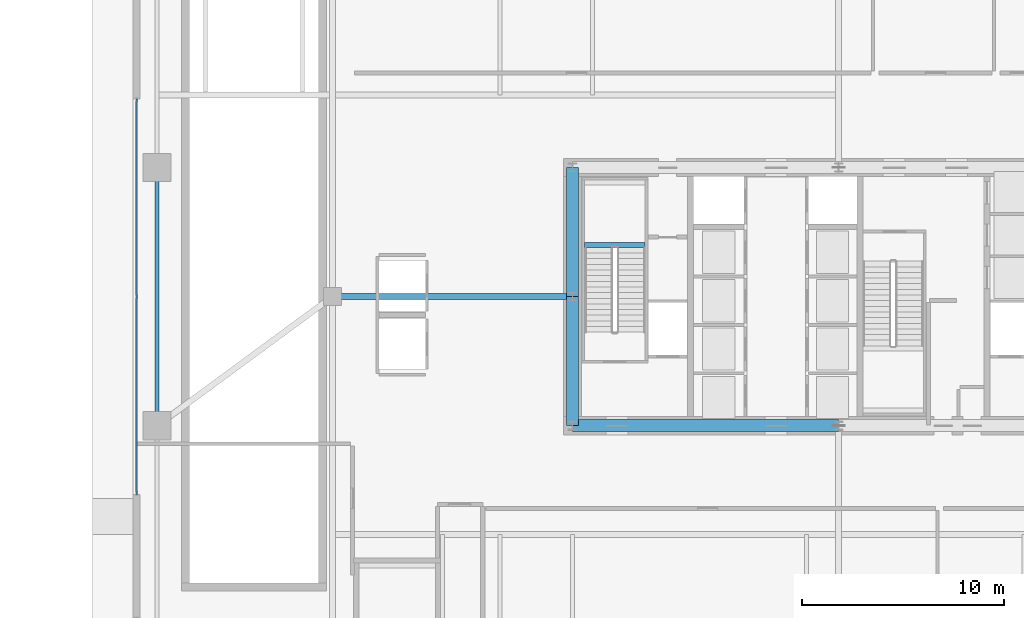
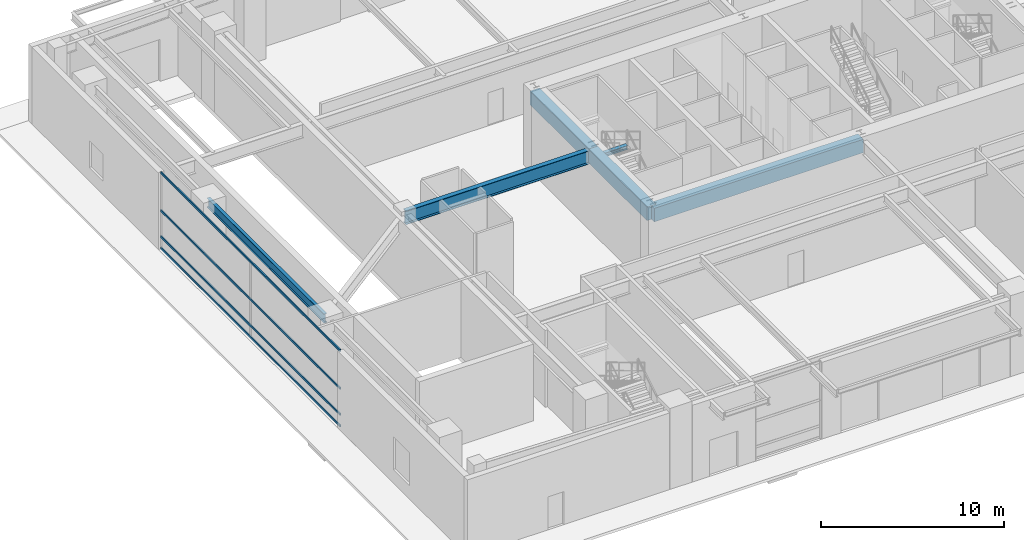
# One storey, part 9 of 32: 6 beams, 4 members, 1 element without a shape of its own.
"""IFC4 building model written with IfcOpenShell, lengths in metres."""

from ifc_helpers import new_model, si_unit, direction, frame, origin, origin_2d, place, context, subcontext, project, spatial, rectangle, hollow_rectangle, i_section, extrude, source, transform, mapped, material, layer, layer_set, material_profile, profile_set, type_object, element, aggregate, save


model = new_model("IFC4")

# Units and contexts
model_context = context("Model", 3, precision=1e-05, world=origin(), true_north=direction((0.0, 1.0)))
body_context = subcontext(model_context, "Body", "Model", "MODEL_VIEW")
ifc_project = project(units=[si_unit("LENGTHUNIT", "METRE"), si_unit("AREAUNIT", "SQUARE_METRE"), si_unit("VOLUMEUNIT", "CUBIC_METRE"), si_unit("PLANEANGLEUNIT", "RADIAN"), si_unit("MASSUNIT", "GRAM", prefix="KILO"), si_unit("THERMODYNAMICTEMPERATUREUNIT", "KELVIN"), si_unit("POWERUNIT", "WATT")], contexts=[model_context])

# Site, building, storey
site_placement = place(None, origin())
site = spatial("IfcSite", under=ifc_project, at=site_placement, CompositionType="ELEMENT")
building_placement = place(site_placement, origin())
building = spatial("IfcBuilding", under=site, at=building_placement, Name="Yuzanri Waterfront Tower", CompositionType="ELEMENT")
storey_placement = place(building_placement, origin())
storey = spatial("IfcBuildingStorey", under=building, at=storey_placement, Name="L01", CompositionType="ELEMENT", Elevation=0.0)

# Beams
ifc_material_1 = material(Name="Concrete C60", Category="concrete")
ifc_material_profile_1 = material_profile(ifc_material_1, rectangle(XDim=0.60009765625, YDim=0.89990234375, at=origin_2d()), Name="RC 600x900")
ifc_profile_set_1 = profile_set([ifc_material_profile_1], Name="Concrete C60")
beam_type_1 = type_object("IfcBeamType", Name="Core Coupling Lintel Concrete C60 600x900", PredefinedType="LINTEL", material=ifc_profile_set_1)
shared_shape_1 = source(origin(), body_context, "Body", "SweptSolid", [
    extrude(rectangle(XDim=0.60009765625, YDim=0.89990234375, at=origin_2d()), origin(), (0.0, 0.0, 1.0), 13.199951171875),
])
beam_1_placement = place(storey_placement, frame((23.800048828125, 19.39990234375, 4.669921875), z_axis=(1.0, 0.0, 0.0), x_axis=(0.0, 1.0, 0.0)))
element("IfcBeam", 1, at=beam_1_placement, inside=storey, type_object=beam_type_1, Name="L01 Core Tie Beam CS1", PredefinedType="LINTEL", context=body_context, shape_type="MappedRepresentation", body=[
    mapped(shared_shape_1, transform((0.0, 0.0, 0.0), scale=1.0)),
])
shared_shape_2 = source(origin(), body_context, "Body", "SweptSolid", [
    extrude(rectangle(XDim=0.60009765625, YDim=0.89990234375, at=origin_2d()), origin(), (0.0, 0.0, 1.0), 6.400146484375),
])
beam_2_placement = place(storey_placement, frame((23.800048828125, 19.39990234375, 4.669921875), z_axis=(0.0, 1.0, 0.0), x_axis=(-1.0, 0.0, 0.0)))
element("IfcBeam", 2, at=beam_2_placement, inside=storey, type_object=beam_type_1, Name="L01 Core Tie Beam CW1", PredefinedType="LINTEL", context=body_context, shape_type="MappedRepresentation", body=[
    mapped(shared_shape_2, transform((0.0, 0.0, 0.0), scale=1.0)),
])
shared_shape_3 = source(origin(), body_context, "Body", "SweptSolid", [
    extrude(rectangle(XDim=0.60009765625, YDim=0.89990234375, at=origin_2d()), origin(), (0.0, 0.0, 1.0), 6.39990234375),
])
beam_3_placement = place(storey_placement, frame((23.800048828125, 25.800048828125, 4.669921875), z_axis=(0.0, 1.0, 0.0), x_axis=(-1.0, 0.0, 0.0)))
element("IfcBeam", 3, at=beam_3_placement, inside=storey, type_object=beam_type_1, Name="L01 Core Tie Beam CW2", PredefinedType="LINTEL", context=body_context, shape_type="MappedRepresentation", body=[
    mapped(shared_shape_3, transform((0.0, 0.0, 0.0), scale=1.0)),
])
ifc_material_2 = material(Name="Steel Q355B", Category="steel")
ifc_material_profile_2 = material_profile(ifc_material_2, i_section(OverallWidth=0.199951171875, OverallDepth=0.60009765625, WebThickness=0.010986328125, FlangeThickness=0.01708984375, at=origin_2d()), Name="HN 600x200x11x17")
ifc_profile_set_2 = profile_set([ifc_material_profile_2], Name="Steel Q355B")
beam_type_2 = type_object("IfcBeamType", Name="Perimeter Spandrel Q355B HN 600x200", PredefinedType="SPANDREL", material=ifc_profile_set_2)
shared_shape_4 = source(origin(), body_context, "Body", "SweptSolid", [
    extrude(i_section(OverallWidth=0.199951171875, OverallDepth=0.60009765625, WebThickness=0.010986328125, FlangeThickness=0.01708984375, at=origin_2d()), origin(), (0.0, 0.0, 1.0), 12.800048828125),
])
beam_4_placement = place(storey_placement, frame((3.199951171875, 19.39990234375, 4.820068359375), z_axis=(0.0, 1.0, 0.0), x_axis=(-1.0, 0.0, 0.0)))
element("IfcBeam", 4, at=beam_4_placement, inside=storey, type_object=beam_type_2, Name="L01 West Podium Spandrel 2", PredefinedType="SPANDREL", context=body_context, shape_type="MappedRepresentation", body=[
    mapped(shared_shape_4, transform((0.0, 0.0, 0.0), scale=1.0)),
])
ifc_material_3 = material(Name="Steel Q355B", Category="steel")
ifc_material_profile_3 = material_profile(ifc_material_3, i_section(OverallWidth=0.300048828125, OverallDepth=0.89990234375, WebThickness=0.01611328125, FlangeThickness=0.028076171875, at=origin_2d()), Name="HN 900x300x16x28")
ifc_profile_set_3 = profile_set([ifc_material_profile_3], Name="Steel Q355B")
beam_type_3 = type_object("IfcBeamType", Name="Primary Podium Girder Q355B HN 900x300", PredefinedType="BEAM", material=ifc_profile_set_3)
shared_shape_5 = source(origin(), body_context, "Body", "SweptSolid", [
    extrude(i_section(OverallWidth=0.300048828125, OverallDepth=0.89990234375, WebThickness=0.01611328125, FlangeThickness=0.028076171875, at=origin_2d()), origin(), (0.0, 0.0, 1.0), 11.900146484375),
])
beam_5_placement = place(storey_placement, frame((11.89990234375, 25.800048828125, 4.669921875), z_axis=(1.0, 0.0, 0.0), x_axis=(0.0, 1.0, 0.0)))
element("IfcBeam", 5, at=beam_5_placement, inside=storey, type_object=beam_type_3, Name="L01 Podium West Girder 2", PredefinedType="BEAM", context=body_context, shape_type="MappedRepresentation", body=[
    mapped(shared_shape_5, transform((0.0, 0.0, 0.0), scale=1.0)),
])

# Curtain wall, members
ifc_material_4 = material(Name="Anodized Architectural Bronze", Category="metal")
ifc_layer = layer(ifc_material_4, 0.159912109375)
ifc_layer_set = layer_set([ifc_layer], Name="Anodized Architectural Bronze")
curtain_wall_type = type_object("IfcCurtainWallType", Name="Anodized Bronze Podium Waterfront Double-Height Unitized Curtain Wall 8400", PredefinedType="NOTDEFINED", material=ifc_layer_set)
curtain_wall_placement = place(storey_placement, origin())
curtain_wall = element("IfcCurtainWall", 6, at=curtain_wall_placement, inside=storey, type_object=curtain_wall_type, Name="L01 Curtain Wall CW-L01-W", PredefinedType="NOTDEFINED")
ifc_material_5 = material(Name="Anodized Architectural Bronze", Category="metal")
ifc_material_profile_4 = material_profile(ifc_material_5, hollow_rectangle(XDim=0.074951171875, YDim=0.14990234375, WallThickness=0.00390625, at=origin_2d()), Name="CWT 75x150")
ifc_profile_set_4 = profile_set([ifc_material_profile_4], Name="Anodized Architectural Bronze")
member_type = type_object("IfcMemberType", Name="Anodized Bronze Primary Curtain-Wall Transom 75x150", PredefinedType="USERDEFINED", material=ifc_profile_set_4)
shared_shape_6 = source(origin(), body_context, "Body", "SweptSolid", [
    extrude(hollow_rectangle(XDim=0.074951171875, YDim=0.14990234375, WallThickness=0.00390625, at=origin_2d()), origin(), (0.0, 0.0, 1.0), 19.60009765625),
])
member_1_placement = place(storey_placement, frame((2.179931640625, 16.0, 0.050048828125), z_axis=(0.0, 1.0, 0.0), x_axis=(-1.0, 0.0, 0.0)))
member_1 = element("IfcMember", 7, at=member_1_placement, type_object=member_type, Name="CW-L01-W Transom 1", ObjectType="TRANSOM", PredefinedType="USERDEFINED", context=body_context, shape_type="MappedRepresentation", body=[
    mapped(shared_shape_6, transform((0.0, 0.0, 0.0), scale=1.0)),
])
member_2_placement = place(storey_placement, frame((2.179931640625, 16.0, 0.820068359375), z_axis=(0.0, 1.0, 0.0), x_axis=(-1.0, 0.0, 0.0)))
member_2 = element("IfcMember", 8, at=member_2_placement, type_object=member_type, Name="CW-L01-W Transom 2", ObjectType="TRANSOM", PredefinedType="USERDEFINED", context=body_context, shape_type="MappedRepresentation", body=[
    mapped(shared_shape_6, transform((0.0, 0.0, 0.0), scale=1.0)),
])
member_3_placement = place(storey_placement, frame((2.179931640625, 16.0, 2.56005859375), z_axis=(0.0, 1.0, 0.0), x_axis=(-1.0, 0.0, 0.0)))
member_3 = element("IfcMember", 9, at=member_3_placement, type_object=member_type, Name="CW-L01-W Transom 3", ObjectType="TRANSOM", PredefinedType="USERDEFINED", context=body_context, shape_type="MappedRepresentation", body=[
    mapped(shared_shape_6, transform((0.0, 0.0, 0.0), scale=1.0)),
])
member_4_placement = place(storey_placement, frame((2.179931640625, 16.0, 5.070068359375), z_axis=(0.0, 1.0, 0.0), x_axis=(-1.0, 0.0, 0.0)))
member_4 = element("IfcMember", 10, at=member_4_placement, type_object=member_type, Name="CW-L01-W Transom 4", ObjectType="TRANSOM", PredefinedType="USERDEFINED", context=body_context, shape_type="MappedRepresentation", body=[
    mapped(shared_shape_6, transform((0.0, 0.0, 0.0), scale=1.0)),
])
aggregate(curtain_wall, [member_1, member_2, member_3, member_4])

# Beam
ifc_material_6 = material(Name="Steel Q355B", Category="steel")
ifc_material_profile_5 = material_profile(ifc_material_6, i_section(OverallWidth=0.25, OverallDepth=0.25, WebThickness=0.009033203125, FlangeThickness=0.013916015625, at=origin_2d()), Name="HW 250x250x9x14")
ifc_profile_set_5 = profile_set([ifc_material_profile_5], Name="Steel Q355B")
beam_type_4 = type_object("IfcBeamType", Name="Stair Landing Support Beam Q355B HW 250x250", PredefinedType="BEAM", material=ifc_profile_set_5)
shared_shape_7 = source(origin(), body_context, "Body", "SweptSolid", [
    extrude(i_section(OverallWidth=0.25, OverallDepth=0.25, WebThickness=0.009033203125, FlangeThickness=0.013916015625, at=origin_2d()), origin(), (0.0, 0.0, 1.0), 3.0),
])
beam_6_placement = place(storey_placement, frame((24.39990234375, 28.3701171875, 2.375), z_axis=(1.0, 0.0, 0.0), x_axis=(0.0, 1.0, 0.0)))
element("IfcBeam", 11, at=beam_6_placement, inside=storey, type_object=beam_type_4, Name="L01 Stair Landing Support Beam ST-01-L01-L1-1", PredefinedType="BEAM", context=body_context, shape_type="MappedRepresentation", body=[
    mapped(shared_shape_7, transform((0.0, 0.0, 0.0), scale=1.0)),
])

save(model, "model.ifc")
